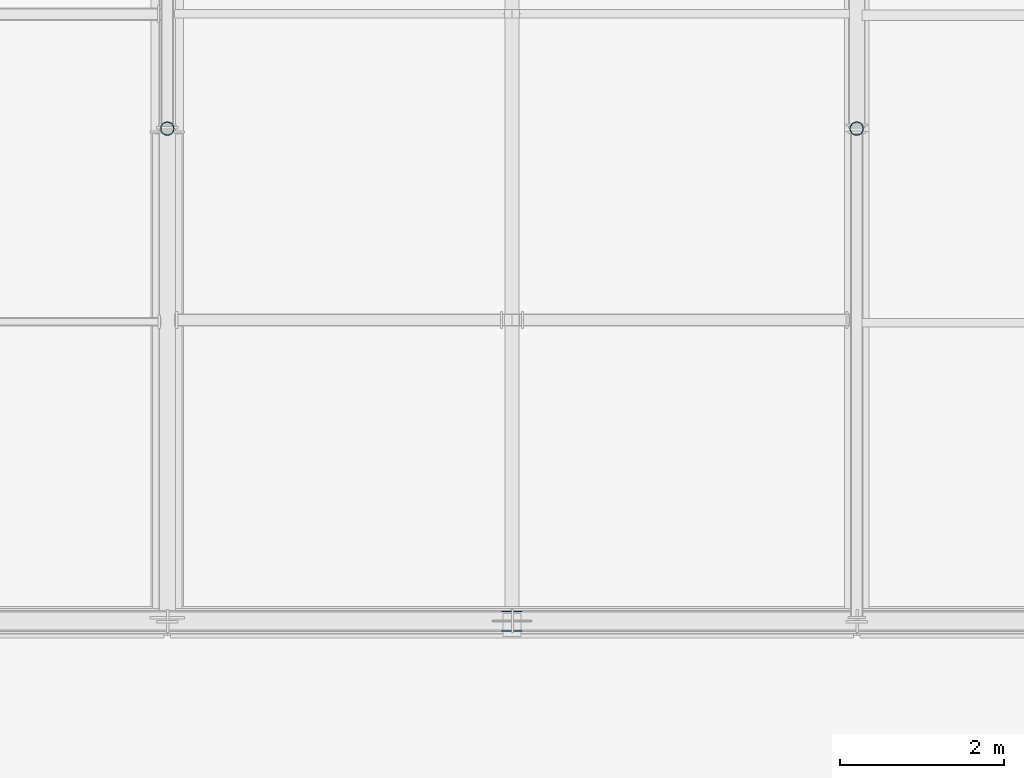
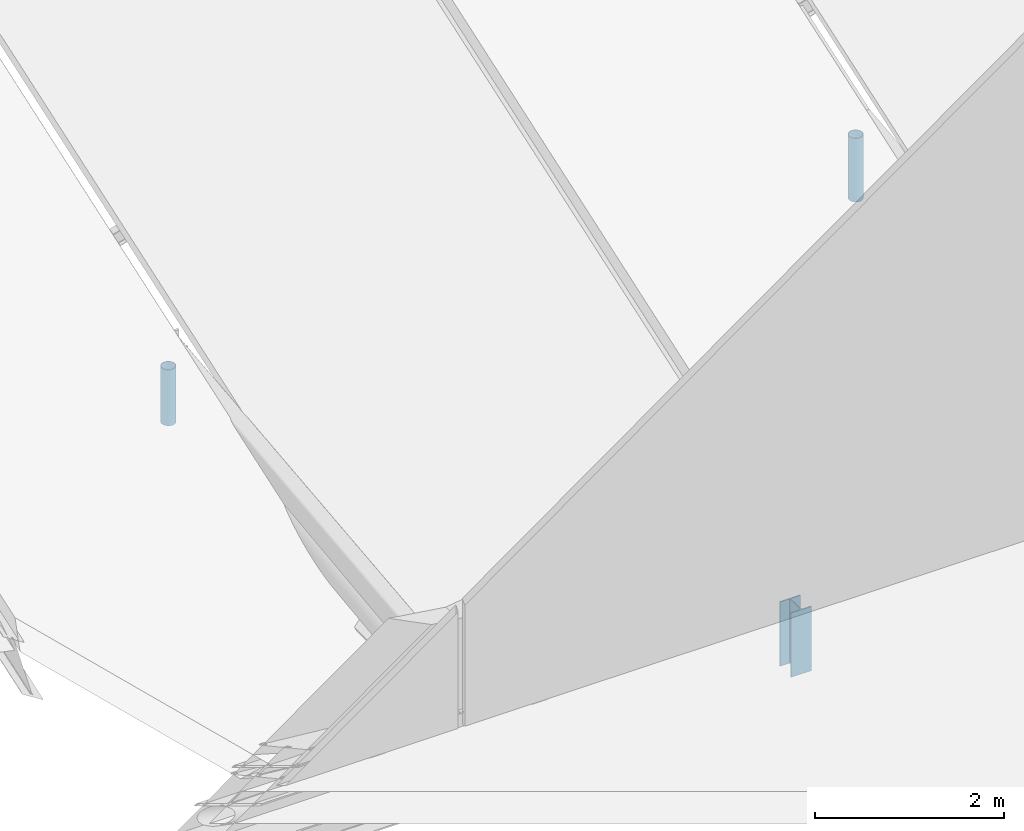
# One storey, part 42 of 77: 3 members.
"""IFC4 building model written with IfcOpenShell, lengths in metres."""

import ifcopenshell
import ifcopenshell.guid

model = None  # the IFC model being written
_history = None  # IfcOwnerHistory: only IFC2X3 demands one
_inside = {}  # id of a spatial element -> (the spatial element, [elements in it])
_under = {}  # id of a project, library or spatial element -> (it, [spatial elements below it])
_declared = {}  # id of a project -> (the project, [libraries it declares])
_typed = {}  # id of a type object -> (the type object, [elements of that type])
_made_of = {}  # id of a material, layer set ... -> (it, [elements and type objects made of it])


def new_model(schema):
    """Start an empty IFC model of exactly this schema.

    Asked for "IFC4X3", IfcOpenShell would pick the latest addendum, in which some entities
    have other attributes; the version numbers below select the first issue.
    IFC2X3 requires an IfcOwnerHistory on every rooted entity: one is made here for all.
    """
    global model, _history
    if schema == "IFC4X3":
        model = ifcopenshell.file(schema_version=(4, 3, 0, 0))
    else:
        model = ifcopenshell.file(schema=schema)
    _inside.clear()
    _under.clear()
    _declared.clear()
    _typed.clear()
    _made_of.clear()
    _history = None
    if model.schema == "IFC2X3":
        org = make("IfcOrganization", Name="unknown")
        user = make(
            "IfcPersonAndOrganization",
            ThePerson=make("IfcPerson", FamilyName="unknown"),
            TheOrganization=org,
        )
        app = make(
            "IfcApplication",
            ApplicationDeveloper=org,
            Version="unknown",
            ApplicationFullName="unknown",
            ApplicationIdentifier="unknown",
        )
        _history = make(
            "IfcOwnerHistory",
            OwningUser=user,
            OwningApplication=app,
            ChangeAction="ADDED",
            CreationDate=0,
        )
    return model


def make(cls, **values):
    """One entity of the class cls with the attributes given. An attribute that is None is left unset."""
    return model.create_entity(
        cls, **{name: value for name, value in values.items() if value is not None}
    )


def rooted(cls, **values):
    """An entity with a GlobalId (a new one), such as an element, a storey or a relation."""
    return make(cls, GlobalId=ifcopenshell.guid.new(), OwnerHistory=_history, **values)


def si_unit(unit_type, name, prefix=None):
    """IfcSIUnit, for example si_unit("LENGTHUNIT", "METRE", prefix="MILLI")."""
    return make("IfcSIUnit", UnitType=unit_type, Prefix=prefix, Name=name)


def assignment(units):
    """IfcUnitAssignment: the units of a project."""
    return None if units is None else make("IfcUnitAssignment", Units=units)


def point(xyz):
    """IfcCartesianPoint."""
    return None if xyz is None else make("IfcCartesianPoint", Coordinates=xyz)


def direction(xyz):
    """IfcDirection."""
    return None if xyz is None else make("IfcDirection", DirectionRatios=xyz)


def frame(location, z_axis=None, x_axis=None):
    """IfcAxis2Placement3D, a coordinate frame: its origin and axes. An axis left out is left unset."""
    return make(
        "IfcAxis2Placement3D",
        Location=point(location),
        Axis=direction(z_axis),
        RefDirection=direction(x_axis),
    )


def frame_2d(location, x_axis=None):
    """IfcAxis2Placement2D, a coordinate frame in the plane: its origin and x axis."""
    return make(
        "IfcAxis2Placement2D", Location=point(location), RefDirection=direction(x_axis)
    )


def origin():
    """The frame at (0, 0, 0) with its axes left unset."""
    return frame((0.0, 0.0, 0.0))


def origin_2d():
    """The frame at (0, 0) in the plane with its x axis left unset."""
    return frame_2d((0.0, 0.0))


def place(relative_to, where):
    """IfcLocalPlacement: puts the frame where relative to a parent placement (None: the world)."""
    return make(
        "IfcLocalPlacement", PlacementRelTo=relative_to, RelativePlacement=where
    )


def context(
    kind, dimensions, precision=None, world=None, true_north=None, identifier=None
):
    """IfcGeometricRepresentationContext, for example the 3D "Model" context."""
    return make(
        "IfcGeometricRepresentationContext",
        ContextIdentifier=identifier,
        ContextType=kind,
        CoordinateSpaceDimension=dimensions,
        Precision=precision,
        WorldCoordinateSystem=world,
        TrueNorth=true_north,
    )


def subcontext(parent, identifier, kind, view, scale=None):
    """IfcGeometricRepresentationSubContext, for example "Body" below "Model"."""
    return make(
        "IfcGeometricRepresentationSubContext",
        ContextIdentifier=identifier,
        ContextType=kind,
        ParentContext=parent,
        TargetScale=scale,
        TargetView=view,
    )


def project(units=None, contexts=None):
    """IfcProject with its units and contexts."""
    return rooted(
        "IfcProject",
        Name="project",
        RepresentationContexts=contexts,
        UnitsInContext=assignment(units),
    )


def spatial(cls, under=None, at=None, **own):
    """A site, building, storey or space (cls), placed at a placement, below another one or the project."""
    s = rooted(cls, ObjectPlacement=at, **own)
    if under is not None:
        _under.setdefault(under.id(), (under, []))[1].append(s)
    return s


def profile(cls, at=None, kind="AREA", **sizes):
    """A parametric profile (cls). Its sizes go by their IFC names, for example OverallWidth=200.0."""
    return make(cls, ProfileType=kind, Position=at, **sizes)


def hollow_circle(**sizes):
    """IfcCircleHollowProfileDef."""
    return profile("IfcCircleHollowProfileDef", **sizes)


def i_section(**sizes):
    """IfcIShapeProfileDef."""
    return profile("IfcIShapeProfileDef", **sizes)


def extrude(swept, where, along, depth):
    """IfcExtrudedAreaSolid: the profile swept, set in the frame where, extruded along a direction by depth."""
    return make(
        "IfcExtrudedAreaSolid",
        SweptArea=swept,
        Position=where,
        ExtrudedDirection=direction(along),
        Depth=depth,
    )


def shape(context_of_items, identifier, shape_type, items):
    """IfcShapeRepresentation: the items that make up one representation, for example the "Body"."""
    return make(
        "IfcShapeRepresentation",
        ContextOfItems=context_of_items,
        RepresentationIdentifier=identifier,
        RepresentationType=shape_type,
        Items=items,
    )


def material(Name=None, Category=None):
    """IfcMaterial."""
    return make("IfcMaterial", Name=Name, Category=Category)


def material_profile(
    of_material, cross_section, Name=None, Category=None, Priority=None
):
    """IfcMaterialProfile: a cross section and its material."""
    return make(
        "IfcMaterialProfile",
        Name=Name,
        Material=of_material,
        Profile=cross_section,
        Priority=Priority,
        Category=Category,
    )


def profile_set(profiles, Name=None, composite=None):
    """IfcMaterialProfileSet."""
    return make(
        "IfcMaterialProfileSet",
        Name=Name,
        MaterialProfiles=profiles,
        CompositeProfile=composite,
    )


def made_of(thing, what):
    """Note that an element or type object is made of a material, layer set ...; save() writes the relation."""
    if what is not None:
        _made_of.setdefault(what.id(), (what, []))[1].append(thing)
    return thing


def type_object(cls, material=None, **own):
    """A type object (cls), such as IfcWallType, which elements share."""
    return made_of(rooted(cls, **own), material)


def element(
    cls,
    number,
    at=None,
    inside=None,
    cuts=None,
    type_object=None,
    material=None,
    context=None,
    identifier="Body",
    shape_type=None,
    held_by="IfcProductDefinitionShape",
    body=None,
    shapes=None,
    **own,
):
    """One element of the class cls, such as IfcWall. Its Tag is "e" and its number.

    at: its placement. inside: the storey or other place that contains it. cuts: it is an
    opening in that element (IfcRelVoidsElement). A single representation is given by context,
    identifier, shape_type and body (its items); several are given by shapes. held_by: the class
    of the entity that holds the representations. save() writes the other relations.
    """
    e = rooted(cls, Tag="e%d" % number, ObjectPlacement=at, **own)
    if body is not None:
        shapes = [shape(context, identifier, shape_type, body)]
    if shapes is not None:
        e.Representation = make(held_by, Representations=shapes)
    if inside is not None:
        _inside.setdefault(inside.id(), (inside, []))[1].append(e)
    if cuts is not None:
        rooted(
            "IfcRelVoidsElement", RelatingBuildingElement=cuts, RelatedOpeningElement=e
        )
    if type_object is not None:
        _typed.setdefault(type_object.id(), (type_object, []))[1].append(e)
    return made_of(e, material)


def aggregate(whole, parts):
    """IfcRelAggregates: a whole, such as a stair, and the parts it consists of."""
    return rooted("IfcRelAggregates", RelatingObject=whole, RelatedObjects=parts)


def save(model, path):
    """Write the relations noted so far, then the file.

    IfcRelAggregates (storeys below a building ...), IfcRelContainedInSpatialStructure (elements
    in a storey), IfcRelDefinesByType, IfcRelAssociatesMaterial and IfcRelDeclares: one each for
    every whole, place, type object, material and project.
    """
    for whole, parts in _under.values():
        aggregate(whole, parts)
    for where, things in _inside.values():
        rooted(
            "IfcRelContainedInSpatialStructure",
            RelatedElements=things,
            RelatingStructure=where,
        )
    for kind, things in _typed.values():
        rooted("IfcRelDefinesByType", RelatedObjects=things, RelatingType=kind)
    for what, things in _made_of.values():
        rooted("IfcRelAssociatesMaterial", RelatedObjects=things, RelatingMaterial=what)
    for by, libraries in _declared.values():
        rooted("IfcRelDeclares", RelatingContext=by, RelatedDefinitions=libraries)
    model.write(path)


model = new_model("IFC4")

# Units and contexts
model_context = context("Model", 3, precision=1e-05, world=origin(), true_north=direction((0.0, 1.0)))
body_context = subcontext(model_context, "Body", "Model", "MODEL_VIEW")
ifc_project = project(units=[si_unit("LENGTHUNIT", "METRE"), si_unit("AREAUNIT", "SQUARE_METRE"), si_unit("VOLUMEUNIT", "CUBIC_METRE"), si_unit("PLANEANGLEUNIT", "RADIAN"), si_unit("MASSUNIT", "GRAM", prefix="KILO")], contexts=[model_context])

# Site, building, storey
site_placement = place(None, origin())
site = spatial("IfcSite", under=ifc_project, at=site_placement, CompositionType="ELEMENT")
building_placement = place(site_placement, origin())
building = spatial("IfcBuilding", under=site, at=building_placement, Name="Larkvane Passage Sports Hall", CompositionType="ELEMENT")
storey_placement = place(building_placement, frame((0.0, 0.0, 22.199951171875)))
storey = spatial("IfcBuildingStorey", under=building, at=storey_placement, Name="RF", CompositionType="ELEMENT", Elevation=22.199951171875)

# Members
ifc_material = material(Name="Steel S355JR", Category="steel")
ifc_material_profile_1 = material_profile(ifc_material, hollow_circle(Radius=0.08251953125, WallThickness=0.006103515625, at=origin_2d()), Name="CHS-165.2x6.0")
ifc_profile_set_1 = profile_set([ifc_material_profile_1], Name="Steel S355JR")
member_type_1 = type_object("IfcMemberType", Name="MBR-ST-CHS165", PredefinedType="STRUT", material=ifc_profile_set_1)
member_1_placement = place(storey_placement, frame((51.60009765625, 45.60009765625, 0.239990234375), z_axis=(0.0, 0.0, 1.0), x_axis=(1.0, 0.0, 0.0)))
element("IfcMember", 1, at=member_1_placement, inside=storey, type_object=member_type_1, Name="Arena roof truss 3 vertical strut 1", PredefinedType="STRUT", context=body_context, shape_type="SweptSolid", body=[
    extrude(hollow_circle(Radius=0.08251953125, WallThickness=0.006103515625, at=origin_2d()), origin(), (0.0, 0.0, 1.0), 0.72265625),
])
member_2_placement = place(storey_placement, frame((60.0, 45.60009765625, 0.18994140625), z_axis=(0.0, 0.0, 1.0), x_axis=(1.0, 0.0, 0.0)))
element("IfcMember", 2, at=member_2_placement, inside=storey, type_object=member_type_1, Name="Arena roof truss 4 vertical strut 1", PredefinedType="STRUT", context=body_context, shape_type="SweptSolid", body=[
    extrude(hollow_circle(Radius=0.08251953125, WallThickness=0.006103515625, at=origin_2d()), origin(), (0.0, 0.0, 1.0), 0.82275390625),
])
ifc_material_profile_2 = material_profile(ifc_material, i_section(OverallWidth=0.25, OverallDepth=0.25, WebThickness=0.009033203125, FlangeThickness=0.013916015625, FilletRadius=0.012939453125, at=origin_2d()), Name="H-250x250x9x14")
ifc_profile_set_2 = profile_set([ifc_material_profile_2], Name="Steel S355JR")
member_type_2 = type_object("IfcMemberType", Name="MBR-ST-H250", PredefinedType="STRUT", material=ifc_profile_set_2)
member_3_placement = place(storey_placement, frame((55.800048828125, 39.60009765625, -0.780029296875), z_axis=(0.0, 0.0, 1.0), x_axis=(1.0, 0.0, 0.0)))
element("IfcMember", 3, at=member_3_placement, inside=storey, type_object=member_type_2, Name="Arena south valley eave truss post 3", PredefinedType="STRUT", context=body_context, shape_type="SweptSolid", body=[
    extrude(i_section(OverallWidth=0.25, OverallDepth=0.25, WebThickness=0.009033203125, FlangeThickness=0.013916015625, FilletRadius=0.012939453125, at=origin_2d()), origin(), (0.0, 0.0, 1.0), 0.830078125),
])

save(model, "model.ifc")
